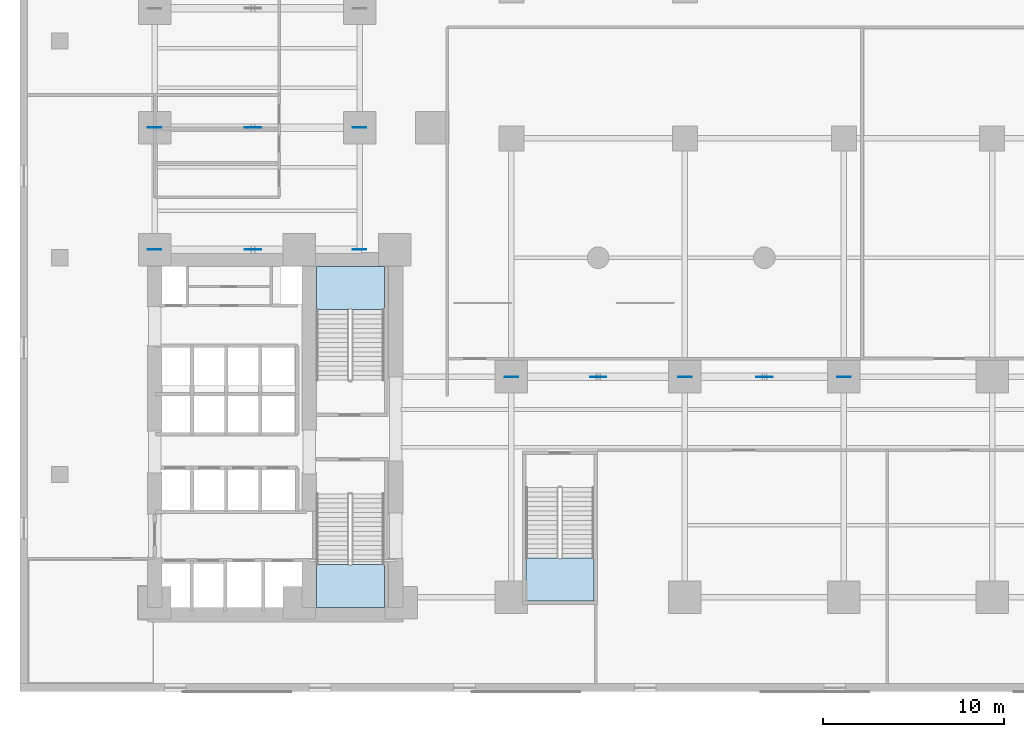
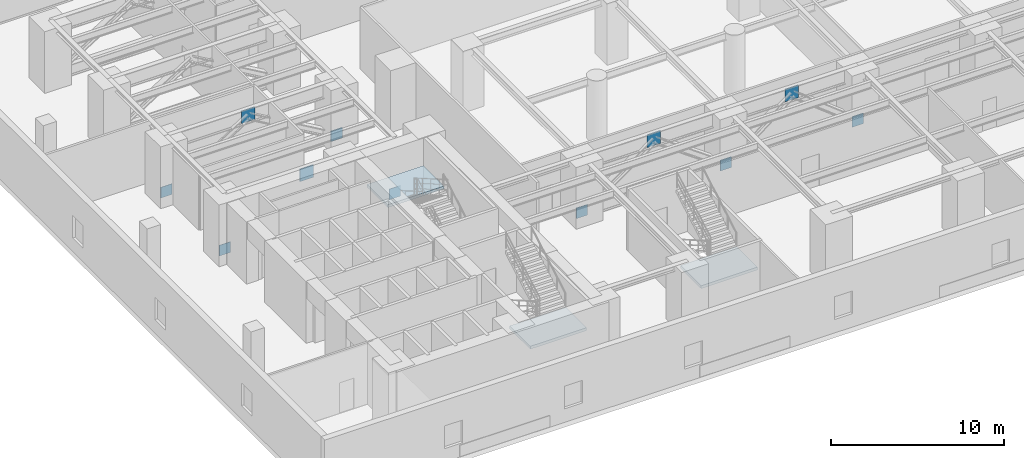
# One storey, part 11 of 18: 11 plates, 3 slabs, 3 elements without a shape of their own.
"""IFC4 building model written with IfcOpenShell, lengths in metres."""

from ifc_helpers import new_model, si_unit, direction, frame, origin, origin_with_axes, origin_2d, place, context, subcontext, project, spatial, polyline, rectangle, outline, extrude, source, transform, mapped, material, layer, layer_set, type_object, element, aggregate, save


model = new_model("IFC4")

# Units and contexts
model_context = context("Model", 3, precision=1e-05, world=origin(), true_north=direction((0.0, 1.0)))
body_context = subcontext(model_context, "Body", "Model", "MODEL_VIEW")
ifc_project = project(units=[si_unit("LENGTHUNIT", "METRE"), si_unit("AREAUNIT", "SQUARE_METRE"), si_unit("VOLUMEUNIT", "CUBIC_METRE"), si_unit("PLANEANGLEUNIT", "RADIAN"), si_unit("MASSUNIT", "GRAM", prefix="KILO")], contexts=[model_context])

# Site, building, storey
site_placement = place(None, origin())
site = spatial("IfcSite", under=ifc_project, at=site_placement, CompositionType="ELEMENT")
building_placement = place(site_placement, origin())
building = spatial("IfcBuilding", under=site, at=building_placement, Name="Kolvaren Waterfront Exchange", CompositionType="ELEMENT")
storey_placement = place(building_placement, frame((0.0, 0.0, 24.800048828125)))
storey = spatial("IfcBuildingStorey", under=building, at=storey_placement, Name="L06", CompositionType="ELEMENT", Elevation=24.800048828125)

# Stair, slab
ifc_material_1 = material(Name="Concrete C40/50", Category="concrete")
stair_type = type_object("IfcStairType", Name="ARC-STAIR-4800", PredefinedType="HALF_TURN_STAIR", material=ifc_material_1)
stair_1_placement = place(storey_placement, origin())
stair_1 = element("IfcStair", 1, at=stair_1_placement, inside=storey, type_object=stair_type, Name="L06 Smoke-proof exit stair ST1", PredefinedType="HALF_TURN_STAIR")
ifc_layer_1 = layer(ifc_material_1, 0.199951171875, Name="Concrete C40/50")
ifc_layer_set_1 = layer_set([ifc_layer_1], Name="Concrete C40/50")
slab_type = type_object("IfcSlabType", Name="STR-LANDING-200", PredefinedType="LANDING", material=ifc_layer_set_1)
slab_1_placement = place(storey_placement, frame((0.0, 0.0, 2.199951171875)))
slab_1 = element("IfcSlab", 2, at=slab_1_placement, type_object=slab_type, Name="ST1 landing 1", PredefinedType="LANDING", context=body_context, shape_type="SweptSolid", body=[
    extrude(outline(polyline([(16.39990234375, 7.030029296875), (16.39990234375, 4.64990234375), (20.159912109375, 4.64990234375), (20.159912109375, 7.030029296875), (16.39990234375, 7.030029296875)])), origin(), (0.0, 0.0, 1.0), 0.199951171875),
])
aggregate(stair_1, [slab_1])

stair_2_placement = place(storey_placement, origin())
stair_2 = element("IfcStair", 3, at=stair_2_placement, inside=storey, type_object=stair_type, Name="L06 Smoke-proof exit stair ST2", PredefinedType="HALF_TURN_STAIR")
slab_2_placement = place(storey_placement, frame((0.0, 0.0, 2.199951171875)))
slab_2 = element("IfcSlab", 4, at=slab_2_placement, type_object=slab_type, Name="ST2 landing 1", PredefinedType="LANDING", context=body_context, shape_type="SweptSolid", body=[
    extrude(outline(polyline([(20.159912109375, 21.1201171875), (20.159912109375, 23.5), (16.39990234375, 23.5), (16.39990234375, 21.1201171875), (20.159912109375, 21.1201171875)])), origin(), (0.0, 0.0, 1.0), 0.199951171875),
])
aggregate(stair_2, [slab_2])

stair_3_placement = place(storey_placement, origin())
stair_3 = element("IfcStair", 5, at=stair_3_placement, inside=storey, type_object=stair_type, Name="L06 Exit stair ST3", PredefinedType="HALF_TURN_STAIR")
slab_3_placement = place(storey_placement, frame((0.0, 0.0, 2.199951171875)))
slab_3 = element("IfcSlab", 6, at=slab_3_placement, type_object=slab_type, Name="ST3 landing 1", PredefinedType="LANDING", context=body_context, shape_type="SweptSolid", body=[
    extrude(outline(polyline([(28.0, 7.3798828125), (28.0, 5.0), (31.760009765625, 5.0), (31.760009765625, 7.3798828125), (28.0, 7.3798828125)])), origin(), (0.0, 0.0, 1.0), 0.199951171875),
])
aggregate(stair_3, [slab_3])

# Plates
ifc_material_2 = material(Name="Steel S460", Category="steel")
ifc_layer_2 = layer(ifc_material_2, 0.0400390625, Name="Steel S460")
ifc_layer_set_2 = layer_set([ifc_layer_2], Name="Steel S460")
plate_type_1 = type_object("IfcPlateType", Name="STR-PL-KN1", PredefinedType="SHEET", material=ifc_layer_set_2)
shared_shape_1 = source(origin_with_axes(), body_context, "Body", "SweptSolid", [
    extrude(rectangle(XDim=0.89990234375, YDim=0.0400390625, at=origin_2d()), origin(), (0.0, 0.0, 1.0), 0.89990234375),
])
for number, where, z_axis, x_axis, name in (
    (7, (12.89990234375, 24.449951171875, 3.39599609375), (0.0, 0.0, 1.0), (1.0, 0.0, 0.0), "Transfer truss apex gusset plate TT1"),
    (8, (12.89990234375, 31.199951171875, 3.39599609375), (0.0, 0.0, 1.0), (1.0, 0.0, 0.0), "Transfer truss apex gusset plate TT2"),
    (9, (32.0, 17.39990234375, 3.39599609375), (0.0, 0.0, 1.0), (1.0, 0.0, 0.0), "Transfer truss apex gusset plate TT5"),
    (10, (41.199951171875, 17.39990234375, 3.39599609375), (0.0, 0.0, 1.0), (1.0, 0.0, 0.0), "Transfer truss apex gusset plate TT6"),
):
    element("IfcPlate", number, at=place(storey_placement, frame(where, z_axis=z_axis, x_axis=x_axis)), inside=storey, type_object=plate_type_1, Name=name, PredefinedType="SHEET", context=body_context, shape_type="MappedRepresentation", body=[
        mapped(shared_shape_1, transform((0.0, 0.0, 0.0), x_axis=(1.0, 0.0, 0.0), y_axis=(0.0, 1.0, 0.0), z_axis=(0.0, 0.0, 1.0), scale=1.0)),
    ])
ifc_layer_3 = layer(ifc_material_2, 0.035888671875, Name="Steel S460")
ifc_layer_set_3 = layer_set([ifc_layer_3], Name="Steel S460")
plate_type_2 = type_object("IfcPlateType", Name="STR-PL-KN2", PredefinedType="SHEET", material=ifc_layer_set_3)
shared_shape_2 = source(origin_with_axes(), body_context, "Body", "SweptSolid", [
    extrude(rectangle(XDim=0.75, YDim=0.035888671875, at=origin_2d()), origin(), (0.0, 0.0, 1.0), 0.75),
])
for number, where, z_axis, x_axis, name in (
    (11, (7.449951171875, 24.449951171875, 0.031982421875), (0.0, 0.0, 1.0), (1.0, 0.0, 0.0), "Transfer truss end splice plate TT1.1"),
    (12, (18.800048828125, 24.449951171875, 0.031982421875), (0.0, 0.0, 1.0), (1.0, 0.0, 0.0), "Transfer truss end splice plate TT1.2"),
    (13, (7.449951171875, 31.199951171875, 0.031982421875), (0.0, 0.0, 1.0), (1.0, 0.0, 0.0), "Transfer truss end splice plate TT2.1"),
    (14, (18.800048828125, 31.199951171875, 0.031982421875), (0.0, 0.0, 1.0), (1.0, 0.0, 0.0), "Transfer truss end splice plate TT2.2"),
    (15, (27.199951171875, 17.39990234375, 0.031982421875), (0.0, 0.0, 1.0), (1.0, 0.0, 0.0), "Transfer truss end splice plate TT5.1"),
    (16, (36.800048828125, 17.39990234375, 0.031982421875), (0.0, 0.0, 1.0), (1.0, 0.0, 0.0), "Transfer truss end splice plate TT5.2"),
    (17, (45.60009765625, 17.39990234375, 0.031982421875), (0.0, 0.0, 1.0), (1.0, 0.0, 0.0), "Transfer truss end splice plate TT6.2"),
):
    element("IfcPlate", number, at=place(storey_placement, frame(where, z_axis=z_axis, x_axis=x_axis)), inside=storey, type_object=plate_type_2, Name=name, PredefinedType="SHEET", context=body_context, shape_type="MappedRepresentation", body=[
        mapped(shared_shape_2, transform((0.0, 0.0, 0.0), x_axis=(1.0, 0.0, 0.0), y_axis=(0.0, 1.0, 0.0), z_axis=(0.0, 0.0, 1.0), scale=1.0)),
    ])

save(model, "model.ifc")
